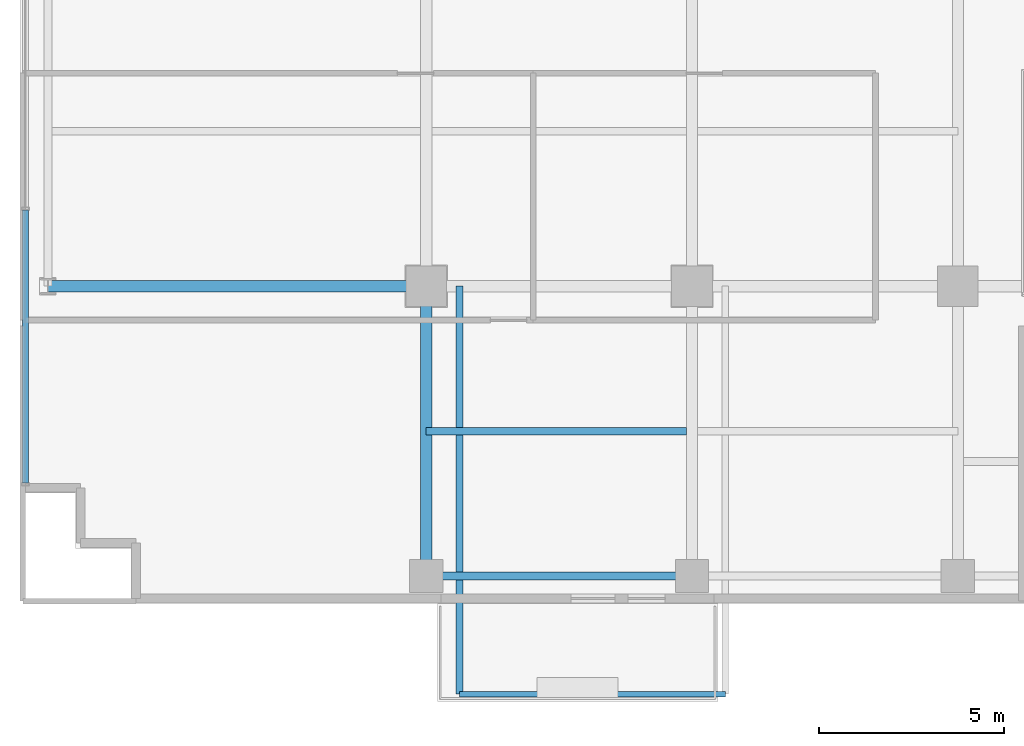
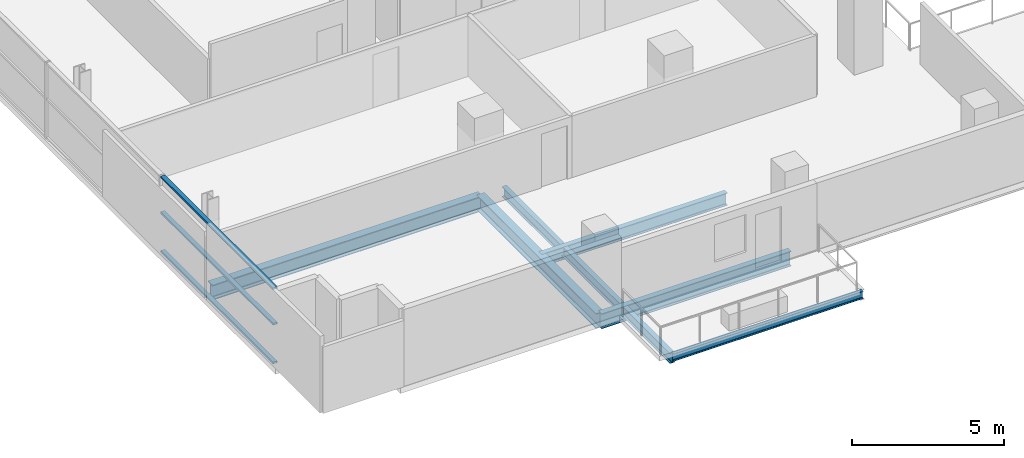
# One storey, part 3 of 29: 6 beams, 3 members, 1 element without a shape of its own.
"""IFC4 building model written with IfcOpenShell, lengths in metres."""

import ifcopenshell
import ifcopenshell.guid

model = None  # the IFC model being written
_history = None  # IfcOwnerHistory: only IFC2X3 demands one
_inside = {}  # id of a spatial element -> (the spatial element, [elements in it])
_under = {}  # id of a project, library or spatial element -> (it, [spatial elements below it])
_declared = {}  # id of a project -> (the project, [libraries it declares])
_typed = {}  # id of a type object -> (the type object, [elements of that type])
_made_of = {}  # id of a material, layer set ... -> (it, [elements and type objects made of it])


def new_model(schema):
    """Start an empty IFC model of exactly this schema.

    Asked for "IFC4X3", IfcOpenShell would pick the latest addendum, in which some entities
    have other attributes; the version numbers below select the first issue.
    IFC2X3 requires an IfcOwnerHistory on every rooted entity: one is made here for all.
    """
    global model, _history
    if schema == "IFC4X3":
        model = ifcopenshell.file(schema_version=(4, 3, 0, 0))
    else:
        model = ifcopenshell.file(schema=schema)
    _inside.clear()
    _under.clear()
    _declared.clear()
    _typed.clear()
    _made_of.clear()
    _history = None
    if model.schema == "IFC2X3":
        org = make("IfcOrganization", Name="unknown")
        user = make(
            "IfcPersonAndOrganization",
            ThePerson=make("IfcPerson", FamilyName="unknown"),
            TheOrganization=org,
        )
        app = make(
            "IfcApplication",
            ApplicationDeveloper=org,
            Version="unknown",
            ApplicationFullName="unknown",
            ApplicationIdentifier="unknown",
        )
        _history = make(
            "IfcOwnerHistory",
            OwningUser=user,
            OwningApplication=app,
            ChangeAction="ADDED",
            CreationDate=0,
        )
    return model


def make(cls, **values):
    """One entity of the class cls with the attributes given. An attribute that is None is left unset."""
    return model.create_entity(
        cls, **{name: value for name, value in values.items() if value is not None}
    )


def rooted(cls, **values):
    """An entity with a GlobalId (a new one), such as an element, a storey or a relation."""
    return make(cls, GlobalId=ifcopenshell.guid.new(), OwnerHistory=_history, **values)


def si_unit(unit_type, name, prefix=None):
    """IfcSIUnit, for example si_unit("LENGTHUNIT", "METRE", prefix="MILLI")."""
    return make("IfcSIUnit", UnitType=unit_type, Prefix=prefix, Name=name)


def assignment(units):
    """IfcUnitAssignment: the units of a project."""
    return None if units is None else make("IfcUnitAssignment", Units=units)


def point(xyz):
    """IfcCartesianPoint."""
    return None if xyz is None else make("IfcCartesianPoint", Coordinates=xyz)


def direction(xyz):
    """IfcDirection."""
    return None if xyz is None else make("IfcDirection", DirectionRatios=xyz)


def frame(location, z_axis=None, x_axis=None):
    """IfcAxis2Placement3D, a coordinate frame: its origin and axes. An axis left out is left unset."""
    return make(
        "IfcAxis2Placement3D",
        Location=point(location),
        Axis=direction(z_axis),
        RefDirection=direction(x_axis),
    )


def frame_2d(location, x_axis=None):
    """IfcAxis2Placement2D, a coordinate frame in the plane: its origin and x axis."""
    return make(
        "IfcAxis2Placement2D", Location=point(location), RefDirection=direction(x_axis)
    )


def origin():
    """The frame at (0, 0, 0) with its axes left unset."""
    return frame((0.0, 0.0, 0.0))


def origin_2d():
    """The frame at (0, 0) in the plane with its x axis left unset."""
    return frame_2d((0.0, 0.0))


def place(relative_to, where):
    """IfcLocalPlacement: puts the frame where relative to a parent placement (None: the world)."""
    return make(
        "IfcLocalPlacement", PlacementRelTo=relative_to, RelativePlacement=where
    )


def context(
    kind, dimensions, precision=None, world=None, true_north=None, identifier=None
):
    """IfcGeometricRepresentationContext, for example the 3D "Model" context."""
    return make(
        "IfcGeometricRepresentationContext",
        ContextIdentifier=identifier,
        ContextType=kind,
        CoordinateSpaceDimension=dimensions,
        Precision=precision,
        WorldCoordinateSystem=world,
        TrueNorth=true_north,
    )


def subcontext(parent, identifier, kind, view, scale=None):
    """IfcGeometricRepresentationSubContext, for example "Body" below "Model"."""
    return make(
        "IfcGeometricRepresentationSubContext",
        ContextIdentifier=identifier,
        ContextType=kind,
        ParentContext=parent,
        TargetScale=scale,
        TargetView=view,
    )


def project(units=None, contexts=None):
    """IfcProject with its units and contexts."""
    return rooted(
        "IfcProject",
        Name="project",
        RepresentationContexts=contexts,
        UnitsInContext=assignment(units),
    )


def spatial(cls, under=None, at=None, **own):
    """A site, building, storey or space (cls), placed at a placement, below another one or the project."""
    s = rooted(cls, ObjectPlacement=at, **own)
    if under is not None:
        _under.setdefault(under.id(), (under, []))[1].append(s)
    return s


def profile(cls, at=None, kind="AREA", **sizes):
    """A parametric profile (cls). Its sizes go by their IFC names, for example OverallWidth=200.0."""
    return make(cls, ProfileType=kind, Position=at, **sizes)


def hollow_rectangle(**sizes):
    """IfcRectangleHollowProfileDef."""
    return profile("IfcRectangleHollowProfileDef", **sizes)


def i_section(**sizes):
    """IfcIShapeProfileDef."""
    return profile("IfcIShapeProfileDef", **sizes)


def extrude(swept, where, along, depth):
    """IfcExtrudedAreaSolid: the profile swept, set in the frame where, extruded along a direction by depth."""
    return make(
        "IfcExtrudedAreaSolid",
        SweptArea=swept,
        Position=where,
        ExtrudedDirection=direction(along),
        Depth=depth,
    )


def shape(context_of_items, identifier, shape_type, items):
    """IfcShapeRepresentation: the items that make up one representation, for example the "Body"."""
    return make(
        "IfcShapeRepresentation",
        ContextOfItems=context_of_items,
        RepresentationIdentifier=identifier,
        RepresentationType=shape_type,
        Items=items,
    )


def source(mapping_origin, context_of_items, identifier, shape_type, items):
    """IfcRepresentationMap: a shape defined once, which mapped items show again and again."""
    return make(
        "IfcRepresentationMap",
        MappingOrigin=mapping_origin,
        MappedRepresentation=shape(context_of_items, identifier, shape_type, items),
    )


def transform(
    local_origin,
    x_axis=None,
    y_axis=None,
    z_axis=None,
    scale=None,
    scale2=None,
    scale3=None,
    uniform=True,
):
    """IfcCartesianTransformationOperator3D, or its non-uniform kind. x_axis, y_axis, z_axis: its Axis1, 2, 3."""
    if uniform:
        return make(
            "IfcCartesianTransformationOperator3D",
            Axis1=direction(x_axis),
            Axis2=direction(y_axis),
            LocalOrigin=point(local_origin),
            Scale=scale,
            Axis3=direction(z_axis),
        )
    return make(
        "IfcCartesianTransformationOperator3DnonUniform",
        Axis1=direction(x_axis),
        Axis2=direction(y_axis),
        LocalOrigin=point(local_origin),
        Scale=scale,
        Axis3=direction(z_axis),
        Scale2=scale2,
        Scale3=scale3,
    )


def mapped(mapping_source, mapping_target):
    """IfcMappedItem: shows the shape of a source again, moved by a transform."""
    return make(
        "IfcMappedItem", MappingSource=mapping_source, MappingTarget=mapping_target
    )


def material(Name=None, Category=None):
    """IfcMaterial."""
    return make("IfcMaterial", Name=Name, Category=Category)


def layer(
    of_material, thickness, ventilated=None, Name=None, Category=None, Priority=None
):
    """IfcMaterialLayer: one layer of a wall or slab, of a material (None: an air gap)."""
    return make(
        "IfcMaterialLayer",
        Material=of_material,
        LayerThickness=thickness,
        IsVentilated=ventilated,
        Name=Name,
        Category=Category,
        Priority=Priority,
    )


def layer_set(layers, Name=None):
    """IfcMaterialLayerSet."""
    return make("IfcMaterialLayerSet", MaterialLayers=layers, LayerSetName=Name)


def material_profile(
    of_material, cross_section, Name=None, Category=None, Priority=None
):
    """IfcMaterialProfile: a cross section and its material."""
    return make(
        "IfcMaterialProfile",
        Name=Name,
        Material=of_material,
        Profile=cross_section,
        Priority=Priority,
        Category=Category,
    )


def profile_set(profiles, Name=None, composite=None):
    """IfcMaterialProfileSet."""
    return make(
        "IfcMaterialProfileSet",
        Name=Name,
        MaterialProfiles=profiles,
        CompositeProfile=composite,
    )


def made_of(thing, what):
    """Note that an element or type object is made of a material, layer set ...; save() writes the relation."""
    if what is not None:
        _made_of.setdefault(what.id(), (what, []))[1].append(thing)
    return thing


def type_object(cls, material=None, **own):
    """A type object (cls), such as IfcWallType, which elements share."""
    return made_of(rooted(cls, **own), material)


def element(
    cls,
    number,
    at=None,
    inside=None,
    cuts=None,
    type_object=None,
    material=None,
    context=None,
    identifier="Body",
    shape_type=None,
    held_by="IfcProductDefinitionShape",
    body=None,
    shapes=None,
    **own,
):
    """One element of the class cls, such as IfcWall. Its Tag is "e" and its number.

    at: its placement. inside: the storey or other place that contains it. cuts: it is an
    opening in that element (IfcRelVoidsElement). A single representation is given by context,
    identifier, shape_type and body (its items); several are given by shapes. held_by: the class
    of the entity that holds the representations. save() writes the other relations.
    """
    e = rooted(cls, Tag="e%d" % number, ObjectPlacement=at, **own)
    if body is not None:
        shapes = [shape(context, identifier, shape_type, body)]
    if shapes is not None:
        e.Representation = make(held_by, Representations=shapes)
    if inside is not None:
        _inside.setdefault(inside.id(), (inside, []))[1].append(e)
    if cuts is not None:
        rooted(
            "IfcRelVoidsElement", RelatingBuildingElement=cuts, RelatedOpeningElement=e
        )
    if type_object is not None:
        _typed.setdefault(type_object.id(), (type_object, []))[1].append(e)
    return made_of(e, material)


def aggregate(whole, parts):
    """IfcRelAggregates: a whole, such as a stair, and the parts it consists of."""
    return rooted("IfcRelAggregates", RelatingObject=whole, RelatedObjects=parts)


def save(model, path):
    """Write the relations noted so far, then the file.

    IfcRelAggregates (storeys below a building ...), IfcRelContainedInSpatialStructure (elements
    in a storey), IfcRelDefinesByType, IfcRelAssociatesMaterial and IfcRelDeclares: one each for
    every whole, place, type object, material and project.
    """
    for whole, parts in _under.values():
        aggregate(whole, parts)
    for where, things in _inside.values():
        rooted(
            "IfcRelContainedInSpatialStructure",
            RelatedElements=things,
            RelatingStructure=where,
        )
    for kind, things in _typed.values():
        rooted("IfcRelDefinesByType", RelatedObjects=things, RelatingType=kind)
    for what, things in _made_of.values():
        rooted("IfcRelAssociatesMaterial", RelatedObjects=things, RelatingMaterial=what)
    for by, libraries in _declared.values():
        rooted("IfcRelDeclares", RelatingContext=by, RelatedDefinitions=libraries)
    model.write(path)


model = new_model("IFC4")

# Units and contexts
model_context = context("Model", 3, precision=1e-05, world=origin(), true_north=direction((0.0, 1.0)))
body_context = subcontext(model_context, "Body", "Model", "MODEL_VIEW")
ifc_project = project(units=[si_unit("LENGTHUNIT", "METRE"), si_unit("AREAUNIT", "SQUARE_METRE"), si_unit("VOLUMEUNIT", "CUBIC_METRE"), si_unit("PLANEANGLEUNIT", "RADIAN"), si_unit("MASSUNIT", "GRAM", prefix="KILO")], contexts=[model_context])

# Site, building, storey
site_placement = place(None, origin())
site = spatial("IfcSite", under=ifc_project, at=site_placement, CompositionType="ELEMENT")
building_placement = place(site_placement, origin())
building = spatial("IfcBuilding", under=site, at=building_placement, Name="Zarnakvel Exchange Tower", CompositionType="ELEMENT")
storey_placement = place(building_placement, frame((0.0, 0.0, 37.300048828125)))
storey = spatial("IfcBuildingStorey", under=building, at=storey_placement, Name="L09", CompositionType="ELEMENT", Elevation=37.300048828125)

# Beams
ifc_material_1 = material(Name="Steel S355", Category="steel")
ifc_material_profile_1 = material_profile(ifc_material_1, i_section(OverallWidth=0.199951171875, OverallDepth=0.5, WebThickness=0.01025390625, FlangeThickness=0.01611328125, FilletRadius=0.02099609375, at=origin_2d()))
ifc_profile_set_1 = profile_set([ifc_material_profile_1], Name="Steel S355")
beam_type_1 = type_object("IfcBeamType", Name="B-04", PredefinedType="JOIST", material=ifc_profile_set_1)
beam_1_placement = place(storey_placement, frame((-21.60009765625, -13.52490234375, -0.47509765625), z_axis=(1.0, 0.0, 0.0), x_axis=(0.0, 1.0, 0.0)))
element("IfcBeam", 1, at=beam_1_placement, inside=storey, type_object=beam_type_1, Name="L09 Composite Floor Secondary Joist", PredefinedType="JOIST", context=body_context, shape_type="SweptSolid", body=[
    extrude(i_section(OverallWidth=0.199951171875, OverallDepth=0.5, WebThickness=0.01025390625, FlangeThickness=0.01611328125, FilletRadius=0.02099609375, at=origin_2d()), origin(), (0.0, 0.0, 1.0), 7.050048828125),
])
ifc_material_profile_2 = material_profile(ifc_material_1, i_section(OverallWidth=0.179931640625, OverallDepth=0.39990234375, WebThickness=0.008544921875, FlangeThickness=0.013427734375, FilletRadius=0.02099609375, at=origin_2d()))
ifc_profile_set_2 = profile_set([ifc_material_profile_2], Name="Steel S355")
beam_type_2 = type_object("IfcBeamType", Name="B-06", PredefinedType="JOIST", material=ifc_profile_set_2)
beam_2_placement = place(storey_placement, frame((-20.699951171875, -9.60009765625, -0.425048828125), z_axis=(0.0, -1.0, 0.0), x_axis=(1.0, 0.0, 0.0)))
element("IfcBeam", 2, at=beam_2_placement, inside=storey, type_object=beam_type_2, Name="L09 Continuous Back-Spanned Balcony Beam W", PredefinedType="JOIST", context=body_context, shape_type="SweptSolid", body=[
    extrude(i_section(OverallWidth=0.179931640625, OverallDepth=0.39990234375, WebThickness=0.008544921875, FlangeThickness=0.013427734375, FilletRadius=0.02099609375, at=origin_2d()), origin(), (0.0, 0.0, 1.0), 11.0498046875),
])
ifc_material_profile_3 = material_profile(ifc_material_1, i_section(OverallWidth=0.14990234375, OverallDepth=0.300048828125, WebThickness=0.007080078125, FlangeThickness=0.0107421875, FilletRadius=0.014892578125, at=origin_2d()))
ifc_profile_set_3 = profile_set([ifc_material_profile_3], Name="Steel S355")
beam_type_3 = type_object("IfcBeamType", Name="B-08", PredefinedType="JOIST", material=ifc_profile_set_3)
beam_3_placement = place(storey_placement, frame((-20.699951171875, -20.64990234375, -0.375), z_axis=(1.0, 0.0, 0.0), x_axis=(0.0, 1.0, 0.0)))
element("IfcBeam", 3, at=beam_3_placement, inside=storey, type_object=beam_type_3, Name="L09 Balcony Edge Beam", PredefinedType="JOIST", context=body_context, shape_type="SweptSolid", body=[
    extrude(i_section(OverallWidth=0.14990234375, OverallDepth=0.300048828125, WebThickness=0.007080078125, FlangeThickness=0.0107421875, FilletRadius=0.014892578125, at=origin_2d()), origin(), (0.0, 0.0, 1.0), 7.199951171875),
])
ifc_material_profile_4 = material_profile(ifc_material_1, i_section(OverallWidth=0.300048828125, OverallDepth=0.60009765625, WebThickness=0.015380859375, FlangeThickness=0.030029296875, FilletRadius=0.027099609375, at=origin_2d()))
ifc_profile_set_4 = profile_set([ifc_material_profile_4], Name="Steel S355")
beam_type_4 = type_object("IfcBeamType", Name="G-04", PredefinedType="BEAM", material=ifc_profile_set_4)
beam_4_placement = place(storey_placement, frame((-31.85009765625, -9.60009765625, -0.525146484375), z_axis=(1.0, 0.0, 0.0), x_axis=(0.0, 1.0, 0.0)))
element("IfcBeam", 4, at=beam_4_placement, inside=storey, type_object=beam_type_4, Name="L09 Tower E-W Frame Beam", PredefinedType="BEAM", context=body_context, shape_type="SweptSolid", body=[
    extrude(i_section(OverallWidth=0.300048828125, OverallDepth=0.60009765625, WebThickness=0.015380859375, FlangeThickness=0.030029296875, FilletRadius=0.027099609375, at=origin_2d()), origin(), (0.0, 0.0, 1.0), 10.25),
])
beam_5_placement = place(storey_placement, frame((-21.60009765625, -17.449951171875, -0.525146484375), z_axis=(0.0, 1.0, 0.0), x_axis=(-1.0, 0.0, 0.0)))
element("IfcBeam", 5, at=beam_5_placement, inside=storey, type_object=beam_type_4, Name="L09 Tower N-S Frame Beam", PredefinedType="BEAM", context=body_context, shape_type="SweptSolid", body=[
    extrude(i_section(OverallWidth=0.300048828125, OverallDepth=0.60009765625, WebThickness=0.015380859375, FlangeThickness=0.030029296875, FilletRadius=0.027099609375, at=origin_2d()), origin(), (0.0, 0.0, 1.0), 7.849853515625),
])
ifc_material_profile_5 = material_profile(ifc_material_1, i_section(OverallWidth=0.219970703125, OverallDepth=0.60009765625, WebThickness=0.011962890625, FlangeThickness=0.01904296875, FilletRadius=0.02392578125, at=origin_2d()))
ifc_profile_set_5 = profile_set([ifc_material_profile_5], Name="Steel S355")
beam_type_5 = type_object("IfcBeamType", Name="SP-01", PredefinedType="SPANDREL", material=ifc_profile_set_5)
beam_6_placement = place(storey_placement, frame((-21.60009765625, -17.449951171875, -0.525146484375), z_axis=(1.0, 0.0, 0.0), x_axis=(0.0, 1.0, 0.0)))
element("IfcBeam", 6, at=beam_6_placement, inside=storey, type_object=beam_type_5, Name="L09 Tower E-W Frame Beam", PredefinedType="SPANDREL", context=body_context, shape_type="SweptSolid", body=[
    extrude(i_section(OverallWidth=0.219970703125, OverallDepth=0.60009765625, WebThickness=0.011962890625, FlangeThickness=0.01904296875, FilletRadius=0.02392578125, at=origin_2d()), origin(), (0.0, 0.0, 1.0), 7.2001953125),
])

# Curtain wall, members
ifc_material_2 = material(Name="Architectural Bronze Anodised Aluminium", Category="aluminium")
ifc_layer = layer(ifc_material_2, 0.199951171875)
ifc_layer_set = layer_set([ifc_layer], Name="Architectural Bronze Anodised Aluminium")
curtain_wall_type = type_object("IfcCurtainWallType", Name="CW-04", PredefinedType="NOTDEFINED", material=ifc_layer_set)
curtain_wall_placement = place(storey_placement, origin())
curtain_wall = element("IfcCurtainWall", 7, at=curtain_wall_placement, inside=storey, type_object=curtain_wall_type, Name="L09 Curtain Wall CW-L09-W1 (CW-04)", PredefinedType="NOTDEFINED")
ifc_material_profile_6 = material_profile(ifc_material_2, hollow_rectangle(XDim=0.159912109375, YDim=0.074951171875, WallThickness=0.00390625, at=origin_2d()))
ifc_profile_set_6 = profile_set([ifc_material_profile_6], Name="Architectural Bronze Anodised Aluminium")
member_type = type_object("IfcMemberType", Name="CWT-04", PredefinedType="USERDEFINED", material=ifc_profile_set_6)
shared_shape = source(origin(), body_context, "Body", "SweptSolid", [
    extrude(hollow_rectangle(XDim=0.159912109375, YDim=0.074951171875, WallThickness=0.00390625, at=origin_2d()), origin(), (0.0, 0.0, 1.0), 7.387451171875),
])
member_1_placement = place(storey_placement, frame((-32.4599609375, -14.925048828125, 0.037353515625), z_axis=(0.0, 1.0, 0.0), x_axis=(-1.0, 0.0, 0.0)))
member_1 = element("IfcMember", 8, at=member_1_placement, type_object=member_type, Name="CW-04 transom 1.1", ObjectType="TRANSOM", PredefinedType="USERDEFINED", context=body_context, shape_type="MappedRepresentation", body=[
    mapped(shared_shape, transform((0.0, 0.0, 0.0), x_axis=(1.0, 0.0, 0.0), y_axis=(0.0, 1.0, 0.0), z_axis=(0.0, 0.0, 1.0), scale=1.0)),
])
member_2_placement = place(storey_placement, frame((-32.4599609375, -14.925048828125, 1.588623046875), z_axis=(0.0, 1.0, 0.0), x_axis=(-1.0, 0.0, 0.0)))
member_2 = element("IfcMember", 9, at=member_2_placement, type_object=member_type, Name="CW-04 transom 1.2", ObjectType="TRANSOM", PredefinedType="USERDEFINED", context=body_context, shape_type="MappedRepresentation", body=[
    mapped(shared_shape, transform((0.0, 0.0, 0.0), x_axis=(1.0, 0.0, 0.0), y_axis=(0.0, 1.0, 0.0), z_axis=(0.0, 0.0, 1.0), scale=1.0)),
])
member_3_placement = place(storey_placement, frame((-32.4599609375, -14.925048828125, 3.017333984375), z_axis=(0.0, 1.0, 0.0), x_axis=(-1.0, 0.0, 0.0)))
member_3 = element("IfcMember", 10, at=member_3_placement, type_object=member_type, Name="CW-04 transom 1.3", ObjectType="TRANSOM", PredefinedType="USERDEFINED", context=body_context, shape_type="MappedRepresentation", body=[
    mapped(shared_shape, transform((0.0, 0.0, 0.0), x_axis=(1.0, 0.0, 0.0), y_axis=(0.0, 1.0, 0.0), z_axis=(0.0, 0.0, 1.0), scale=1.0)),
])
aggregate(curtain_wall, [member_1, member_2, member_3])

save(model, "model.ifc")
